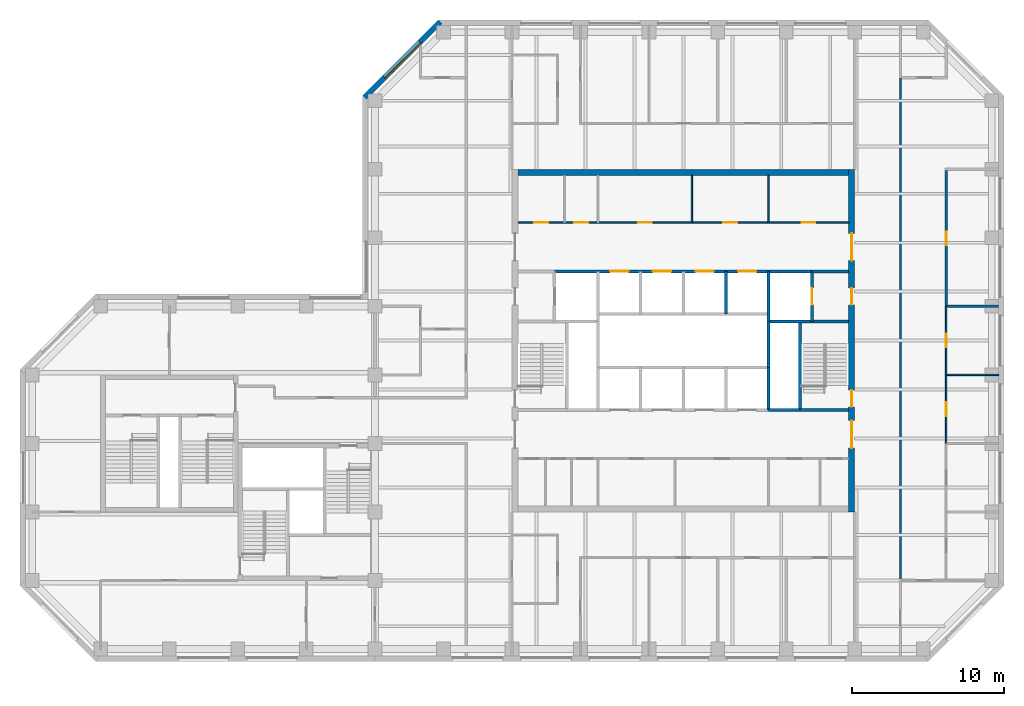
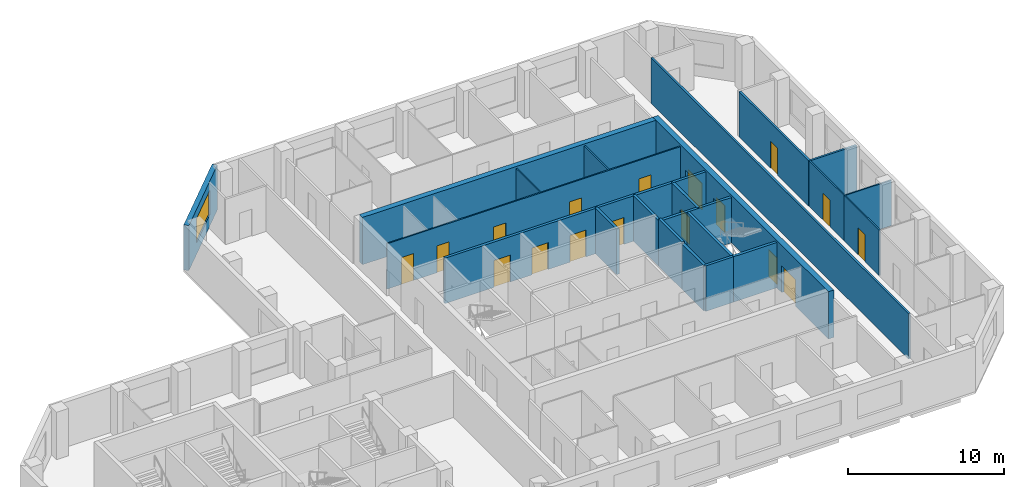
# One storey, part 6 of 9: 23 walls, 17 doors, 1 window, 18 openings.
"""IFC4 building model written with IfcOpenShell, lengths in metres."""

from ifc_helpers import new_model, si_unit, direction, frame, frame_2d, origin, place, context, subcontext, project, spatial, rectangle, extrude, material, layer, layer_set, constituent, constituent_set, type_object, element, fill, save


model = new_model("IFC4")

# Units and contexts
model_context = context("Model", 3, precision=1e-05, world=origin(), true_north=direction((0.0, 1.0)))
body_context = subcontext(model_context, "Body", "Model", "MODEL_VIEW")
ifc_project = project(units=[si_unit("LENGTHUNIT", "METRE"), si_unit("AREAUNIT", "SQUARE_METRE"), si_unit("VOLUMEUNIT", "CUBIC_METRE"), si_unit("PLANEANGLEUNIT", "RADIAN"), si_unit("MASSUNIT", "GRAM", prefix="KILO")], contexts=[model_context])

# Site, building, storey
site_placement = place(None, origin())
site = spatial("IfcSite", under=ifc_project, at=site_placement, CompositionType="ELEMENT")
building_placement = place(site_placement, origin())
building = spatial("IfcBuilding", under=site, at=building_placement, Name="Quoin Convention Tower", CompositionType="ELEMENT")
storey_placement = place(building_placement, frame((0.0, 0.0, 151.39990234375)))
storey = spatial("IfcBuildingStorey", under=building, at=storey_placement, Name="L39", CompositionType="ELEMENT", Elevation=151.39990234375)

# Wall
ifc_material_1 = material(Name="Plasterboard")
ifc_layer_1 = layer(ifc_material_1, 0.012451171875, Name="Finish")
ifc_material_2 = material(Name="Steel stud framing", Category="steel")
ifc_layer_2 = layer(ifc_material_2, 0.125, Name="Structure")
ifc_layer_3 = layer(ifc_material_1, 0.012451171875, Name="Finish")
ifc_layer_set_1 = layer_set([ifc_layer_1, ifc_layer_2, ifc_layer_3], Name="Steel stud framing")
wall_type_1 = type_object("IfcWallType", Name="Acoustic partition 150", PredefinedType="PARTITIONING", material=ifc_layer_set_1)
wall_1_placement = place(storey_placement, frame((73.574951171875, 63.0, 0.0), z_axis=(0.0, 0.0, 1.0), x_axis=(1.0, 0.0, 0.0)))
element("IfcWall", 1, at=wall_1_placement, inside=storey, type_object=wall_type_1, Name="pw-L39-029", PredefinedType="PARTITIONING", context=body_context, shape_type="SweptSolid", body=[
    extrude(rectangle(XDim=3.375, YDim=0.14990234375, at=frame_2d((1.6875, 0.0))), origin(), (0.0, 0.0, 1.0), 3.550048828125),
])

# Wall, opening, door
wall_2_placement = place(storey_placement, frame((73.5, 63.0, 0.0), z_axis=(0.0, 0.0, 1.0), x_axis=(0.0, 1.0, 0.0)))
wall_2 = element("IfcWall", 2, at=wall_2_placement, inside=storey, type_object=wall_type_1, Name="pw-L39-077", PredefinedType="PARTITIONING", context=body_context, shape_type="SweptSolid", body=[
    extrude(rectangle(XDim=8.925048828125, YDim=0.14990234375, at=frame_2d((4.46240234375, 0.0))), origin(), (0.0, 0.0, 1.0), 3.550048828125),
])
opening_1_placement = place(wall_2_placement, frame((4.0, 0.0, 0.0)))
opening_1 = element("IfcOpeningElement", 3, at=opening_1_placement, cuts=wall_2, Name="Opening DOH1-23", PredefinedType="OPENING", context=body_context, shape_type="SweptSolid", body=[
    extrude(rectangle(XDim=0.89990234375, YDim=2.10009765625, at=frame_2d((0.449951171875, 1.050048828125))), frame((0.0, 0.0849609375, 0.0), z_axis=(0.0, -1.0, 0.0), x_axis=(1.0, 0.0, 0.0)), (0.0, 0.0, 1.0), 0.169921875),
])
ifc_material_3 = material(Name="Steel door leaf", Category="steel")
door_type_1 = type_object("IfcDoorType", Name="Office door 900 x 2100", OperationType="SINGLE_SWING_RIGHT", PredefinedType="DOOR", material=ifc_material_3)
door_1_placement = place(opening_1_placement, origin())
door_1 = element("IfcDoor", 4, at=door_1_placement, inside=storey, type_object=door_type_1, Name="dr-L39-35", OperationType="SINGLE_SWING_RIGHT", OverallHeight=2.10009765625, OverallWidth=0.89990234375, PredefinedType="DOOR", context=body_context, shape_type="SweptSolid", body=[
    extrude(rectangle(XDim=0.89990234375, YDim=2.10009765625, at=frame_2d((0.449951171875, 1.050048828125))), frame((0.0, 0.02490234375, 0.0), z_axis=(0.0, -1.0, 0.0), x_axis=(1.0, 0.0, 0.0)), (0.0, 0.0, 1.0), 0.050048828125),
])
fill(opening_1, door_1)

# Wall, opening, window
ifc_material_4 = material(Name="Brick masonry", Category="masonry")
ifc_layer_4 = layer(ifc_material_4, 0.35009765625)
ifc_layer_set_2 = layer_set([ifc_layer_4], Name="Brick masonry")
wall_type_2 = type_object("IfcWallType", Name="Brick facade wall", PredefinedType="STANDARD", material=ifc_layer_set_2)
wall_3_placement = place(storey_placement, frame((40.29248046875, 81.67626953125, 0.0), z_axis=(0.0, 0.0, 1.0), x_axis=(-0.707106781187, -0.707106781187, 0.0)))
wall_3 = element("IfcWall", 5, at=wall_3_placement, inside=storey, type_object=wall_type_2, Name="fw-L39-40500_81000", PredefinedType="STANDARD", context=body_context, shape_type="SweptSolid", body=[
    extrude(rectangle(XDim=7.02685546875, YDim=0.35009765625, at=frame_2d((3.513427734375, 0.0))), origin(), (0.0, 0.0, 1.0), 3.525146484375),
])
opening_2_placement = place(wall_3_placement, frame((1.86328125, 0.0, 0.89990234375)))
opening_2 = element("IfcOpeningElement", 6, at=opening_2_placement, cuts=wall_3, Name="Opening W-02", PredefinedType="OPENING", context=body_context, shape_type="SweptSolid", body=[
    extrude(rectangle(XDim=3.300048828125, YDim=1.89990234375, at=frame_2d((1.64990234375, 0.949951171875))), frame((0.0, 0.18505859375, 0.0), z_axis=(0.0, -1.0, 0.0), x_axis=(1.0, 0.0, 0.0)), (0.0, 0.0, 1.0), 0.3701171875),
])
ifc_material_5 = material(Name="Aluminium", Category="aluminium")
ifc_constituent_1 = constituent(ifc_material_5, Name="Frame")
ifc_material_6 = material(Name="Insulated glass", Category="glass")
ifc_constituent_2 = constituent(ifc_material_6, Name="Glazing")
ifc_constituent_set = constituent_set(constituents=[ifc_constituent_1, ifc_constituent_2], Name="Aluminium")
window_type = type_object("IfcWindowType", Name="Office window", PartitioningType="DOUBLE_PANEL_VERTICAL", PredefinedType="WINDOW", material=ifc_constituent_set)
window_placement = place(opening_2_placement, origin())
window = element("IfcWindow", 7, at=window_placement, inside=storey, type_object=window_type, Name="win-L39-37808_79192", OverallHeight=1.89990234375, OverallWidth=3.300048828125, PartitioningType="SINGLE_PANEL", PredefinedType="WINDOW", context=body_context, shape_type="SweptSolid", body=[
    extrude(rectangle(XDim=3.300048828125, YDim=1.89990234375, at=frame_2d((1.64990234375, 0.949951171875))), frame((0.0, 0.0849609375, 0.0), z_axis=(0.0, -1.0, 0.0), x_axis=(1.0, 0.0, 0.0)), (0.0, 0.0, 1.0), 0.06005859375),
])
fill(opening_2, window)

# Wall, openings, doors
ifc_layer_5 = layer(ifc_material_1, 0.012451171875, Name="Finish")
ifc_layer_6 = layer(ifc_material_2, 0.074951171875, Name="Structure")
ifc_layer_7 = layer(ifc_material_1, 0.012451171875, Name="Finish")
ifc_layer_set_3 = layer_set([ifc_layer_5, ifc_layer_6, ifc_layer_7], Name="Steel stud framing")
wall_type_3 = type_object("IfcWallType", Name="Core partition wall", PredefinedType="PARTITIONING", material=ifc_layer_set_3)
wall_4_placement = place(storey_placement, frame((45.39990234375, 68.5, 0.0), z_axis=(0.0, 0.0, 1.0), x_axis=(1.0, 0.0, 0.0)))
wall_4 = element("IfcWall", 8, at=wall_4_placement, inside=storey, type_object=wall_type_3, Name="cr-C1-L39-h19000_400", PredefinedType="PARTITIONING", context=body_context, shape_type="SweptSolid", body=[
    extrude(rectangle(XDim=21.7001953125, YDim=0.10009765625, at=frame_2d((10.85009765625, 0.0))), origin(), (0.0, 0.0, 1.0), 3.550048828125),
])
opening_3_placement = place(wall_4_placement, frame((18.625, 0.0, 0.0)))
opening_3 = element("IfcOpeningElement", 9, at=opening_3_placement, cuts=wall_4, Name="Opening DCV1-12", PredefinedType="OPENING", context=body_context, shape_type="SweptSolid", body=[
    extrude(rectangle(XDim=0.89990234375, YDim=2.10009765625, at=frame_2d((0.449951171875, 1.050048828125))), frame((0.0, 0.06005859375, 0.0), z_axis=(0.0, -1.0, 0.0), x_axis=(1.0, 0.0, 0.0)), (0.0, 0.0, 1.0), 0.1201171875),
])
opening_4_placement = place(wall_4_placement, frame((1.072509765625, 0.0, 0.0)))
opening_4 = element("IfcOpeningElement", 10, at=opening_4_placement, cuts=wall_4, Name="Opening DCV1-05", PredefinedType="OPENING", context=body_context, shape_type="SweptSolid", body=[
    extrude(rectangle(XDim=0.89990234375, YDim=2.10009765625, at=frame_2d((0.449951171875, 1.050048828125))), frame((0.0, 0.06005859375, 0.0), z_axis=(0.0, -1.0, 0.0), x_axis=(1.0, 0.0, 0.0)), (0.0, 0.0, 1.0), 0.1201171875),
])
opening_5_placement = place(wall_4_placement, frame((3.697509765625, 0.0, 0.0)))
opening_5 = element("IfcOpeningElement", 11, at=opening_5_placement, cuts=wall_4, Name="Opening DCV1-06", PredefinedType="OPENING", context=body_context, shape_type="SweptSolid", body=[
    extrude(rectangle(XDim=0.89990234375, YDim=2.10009765625, at=frame_2d((0.449951171875, 1.050048828125))), frame((0.0, 0.06005859375, 0.0), z_axis=(0.0, -1.0, 0.0), x_axis=(1.0, 0.0, 0.0)), (0.0, 0.0, 1.0), 0.1201171875),
])
opening_6_placement = place(wall_4_placement, frame((13.47998046875, 0.0, 0.0)))
opening_6 = element("IfcOpeningElement", 12, at=opening_6_placement, cuts=wall_4, Name="Opening DCV1-10", PredefinedType="OPENING", context=body_context, shape_type="SweptSolid", body=[
    extrude(rectangle(XDim=0.89990234375, YDim=2.10009765625, at=frame_2d((0.449951171875, 1.050048828125))), frame((0.0, 0.06005859375, 0.0), z_axis=(0.0, -1.0, 0.0), x_axis=(1.0, 0.0, 0.0)), (0.0, 0.0, 1.0), 0.1201171875),
])
opening_7_placement = place(wall_4_placement, frame((7.8798828125, 0.0, 0.0)))
opening_7 = element("IfcOpeningElement", 13, at=opening_7_placement, cuts=wall_4, Name="Opening DCV1-08", PredefinedType="OPENING", context=body_context, shape_type="SweptSolid", body=[
    extrude(rectangle(XDim=0.89990234375, YDim=2.10009765625, at=frame_2d((0.449951171875, 1.050048828125))), frame((0.0, 0.06005859375, 0.0), z_axis=(0.0, -1.0, 0.0), x_axis=(1.0, 0.0, 0.0)), (0.0, 0.0, 1.0), 0.1201171875),
])
door_type_2 = type_object("IfcDoorType", Name="Core room door 900 x 2100", OperationType="SINGLE_SWING_LEFT", PredefinedType="DOOR", material=ifc_material_3)
door_2_placement = place(opening_3_placement, origin())
door_2 = element("IfcDoor", 14, at=door_2_placement, inside=storey, type_object=door_type_2, Name="cd-C1-L39-CNE0-lobB-CD3907", OperationType="SINGLE_SWING_LEFT", OverallHeight=2.10009765625, OverallWidth=0.89990234375, PredefinedType="DOOR", context=body_context, shape_type="SweptSolid", body=[
    extrude(rectangle(XDim=0.89990234375, YDim=2.10009765625, at=frame_2d((0.449951171875, 1.050048828125))), frame((0.0, 0.02490234375, 0.0), z_axis=(0.0, -1.0, 0.0), x_axis=(1.0, 0.0, 0.0)), (0.0, 0.0, 1.0), 0.050048828125),
])
fill(opening_3, door_2)
door_3_placement = place(opening_4_placement, origin())
door_3 = element("IfcDoor", 15, at=door_3_placement, inside=storey, type_object=door_type_2, Name="cd-C1-L39-CNW0-lobB-CD3908", OperationType="SINGLE_SWING_RIGHT", OverallHeight=2.10009765625, OverallWidth=0.89990234375, PredefinedType="DOOR", context=body_context, shape_type="SweptSolid", body=[
    extrude(rectangle(XDim=0.89990234375, YDim=2.10009765625, at=frame_2d((0.449951171875, 1.050048828125))), frame((0.0, 0.02490234375, 0.0), z_axis=(0.0, -1.0, 0.0), x_axis=(1.0, 0.0, 0.0)), (0.0, 0.0, 1.0), 0.050048828125),
])
fill(opening_4, door_3)
door_4_placement = place(opening_5_placement, origin())
door_4 = element("IfcDoor", 16, at=door_4_placement, inside=storey, type_object=door_type_2, Name="cd-C1-L39-CNW1-lobB-CD3909", OperationType="SINGLE_SWING_RIGHT", OverallHeight=2.10009765625, OverallWidth=0.89990234375, PredefinedType="DOOR", context=body_context, shape_type="SweptSolid", body=[
    extrude(rectangle(XDim=0.89990234375, YDim=2.10009765625, at=frame_2d((0.449951171875, 1.050048828125))), frame((0.0, 0.02490234375, 0.0), z_axis=(0.0, -1.0, 0.0), x_axis=(1.0, 0.0, 0.0)), (0.0, 0.0, 1.0), 0.050048828125),
])
fill(opening_5, door_4)
door_5_placement = place(opening_6_placement, origin())
door_5 = element("IfcDoor", 17, at=door_5_placement, inside=storey, type_object=door_type_2, Name="cd-C1-L39-F40-lobB-CD3917", OperationType="SINGLE_SWING_RIGHT", OverallHeight=2.10009765625, OverallWidth=0.89990234375, PredefinedType="DOOR", context=body_context, shape_type="SweptSolid", body=[
    extrude(rectangle(XDim=0.89990234375, YDim=2.10009765625, at=frame_2d((0.449951171875, 1.050048828125))), frame((0.0, 0.02490234375, 0.0), z_axis=(0.0, -1.0, 0.0), x_axis=(1.0, 0.0, 0.0)), (0.0, 0.0, 1.0), 0.050048828125),
])
fill(opening_6, door_5)
door_6_placement = place(opening_7_placement, origin())
door_6 = element("IfcDoor", 18, at=door_6_placement, inside=storey, type_object=door_type_2, Name="cd-C1-L39-F41-lobB-CD3918", OperationType="SINGLE_SWING_RIGHT", OverallHeight=2.10009765625, OverallWidth=0.89990234375, PredefinedType="DOOR", context=body_context, shape_type="SweptSolid", body=[
    extrude(rectangle(XDim=0.89990234375, YDim=2.10009765625, at=frame_2d((0.449951171875, 1.050048828125))), frame((0.0, 0.02490234375, 0.0), z_axis=(0.0, -1.0, 0.0), x_axis=(1.0, 0.0, 0.0)), (0.0, 0.0, 1.0), 0.050048828125),
])
fill(opening_7, door_6)

# Walls
for number, where, z_axis, x_axis, name in (
    (19, (56.81005859375, 68.5, 0.0), (0.0, 0.0, 1.0), (0.0, 1.0, 0.0), "cr-C1-L39-v11810_19000"),
    (20, (61.85009765625, 68.5, 0.0), (0.0, 0.0, 1.0), (0.0, 1.0, 0.0), "cr-C1-L39-v16850_19000"),
):
    element("IfcWall", number, at=place(storey_placement, frame(where, z_axis=z_axis, x_axis=x_axis)), inside=storey, type_object=wall_type_3, Name=name, PredefinedType="PARTITIONING", context=body_context, shape_type="SweptSolid", body=[
        extrude(rectangle(XDim=3.10009765625, YDim=0.10009765625, at=frame_2d((1.550048828125, 0.0))), origin(), (0.0, 0.0, 1.0), 3.550048828125),
    ])
ifc_material_7 = material(Name="Concrete C50", Category="concrete")
ifc_layer_8 = layer(ifc_material_7, 0.199951171875)
ifc_layer_set_4 = layer_set([ifc_layer_8], Name="Concrete C50")
wall_type_4 = type_object("IfcWallType", Name="Core shaft wall", PredefinedType="SOLIDWALL", material=ifc_layer_set_4)
wall_5_placement = place(storey_placement, frame((61.85009765625, 56.199951171875, 0.0), z_axis=(0.0, 0.0, 1.0), x_axis=(1.0, 0.0, 0.0)))
element("IfcWall", 21, at=wall_5_placement, inside=storey, type_object=wall_type_4, Name="cr-C1-L39-h6700_16850", PredefinedType="SOLIDWALL", context=body_context, shape_type="SweptSolid", body=[
    extrude(rectangle(XDim=2.0498046875, YDim=0.199951171875, at=frame_2d((1.02490234375, 0.0))), origin(), (0.0, 0.0, 1.0), 3.550048828125),
])
wall_6_placement = place(storey_placement, frame((63.89990234375, 56.199951171875, 0.0), z_axis=(0.0, 0.0, 1.0), x_axis=(1.0, 0.0, 0.0)))
element("IfcWall", 22, at=wall_6_placement, inside=storey, type_object=wall_type_4, Name="cr-C1-L39-h6700_18900", PredefinedType="SOLIDWALL", context=body_context, shape_type="SweptSolid", body=[
    extrude(rectangle(XDim=3.2001953125, YDim=0.199951171875, at=frame_2d((1.60009765625, 0.0))), origin(), (0.0, 0.0, 1.0), 3.550048828125),
])
wall_7_placement = place(storey_placement, frame((61.85009765625, 62.0, 0.0), z_axis=(0.0, 0.0, 1.0), x_axis=(1.0, 0.0, 0.0)))
element("IfcWall", 23, at=wall_7_placement, inside=storey, type_object=wall_type_4, Name="cr-C1-L39-h12500_16850", PredefinedType="SOLIDWALL", context=body_context, shape_type="SweptSolid", body=[
    extrude(rectangle(XDim=5.25, YDim=0.199951171875, at=frame_2d((2.625, 0.0))), origin(), (0.0, 0.0, 1.0), 3.550048828125),
])
wall_8_placement = place(storey_placement, frame((64.699951171875, 65.300048828125, 0.0), z_axis=(0.0, 0.0, 1.0), x_axis=(1.0, 0.0, 0.0)))
element("IfcWall", 24, at=wall_8_placement, inside=storey, type_object=wall_type_4, Name="cr-C1-L39-h15800_19700", PredefinedType="SOLIDWALL", context=body_context, shape_type="SweptSolid", body=[
    extrude(rectangle(XDim=2.400146484375, YDim=0.199951171875, at=frame_2d((1.2001953125, 0.0))), origin(), (0.0, 0.0, 1.0), 3.550048828125),
])

# Wall, openings, doors
wall_9_placement = place(storey_placement, frame((47.800048828125, 65.300048828125, 0.0), z_axis=(0.0, 0.0, 1.0), x_axis=(1.0, 0.0, 0.0)))
wall_9 = element("IfcWall", 25, at=wall_9_placement, inside=storey, type_object=wall_type_4, Name="cr-C1-L39-h15800_2800", PredefinedType="SOLIDWALL", context=body_context, shape_type="SweptSolid", body=[
    extrude(rectangle(XDim=16.89990234375, YDim=0.199951171875, at=frame_2d((8.449951171875, 0.0))), origin(), (0.0, 0.0, 1.0), 3.550048828125),
])
opening_8_placement = place(wall_9_placement, frame((3.64990234375, 0.0, 0.0)))
opening_8 = element("IfcOpeningElement", 26, at=opening_8_placement, cuts=wall_9, Name="Opening LDH5", PredefinedType="OPENING", context=body_context, shape_type="SweptSolid", body=[
    extrude(rectangle(XDim=1.199951171875, YDim=2.10009765625, at=frame_2d((0.60009765625, 1.050048828125))), frame((0.0, 0.10986328125, 0.0), z_axis=(0.0, -1.0, 0.0), x_axis=(1.0, 0.0, 0.0)), (0.0, 0.0, 1.0), 0.219970703125),
])
opening_9_placement = place(wall_9_placement, frame((6.449951171875, 0.0, 0.0)))
opening_9 = element("IfcOpeningElement", 27, at=opening_9_placement, cuts=wall_9, Name="Opening LDH6", PredefinedType="OPENING", context=body_context, shape_type="SweptSolid", body=[
    extrude(rectangle(XDim=1.199951171875, YDim=2.10009765625, at=frame_2d((0.60009765625, 1.050048828125))), frame((0.0, 0.10986328125, 0.0), z_axis=(0.0, -1.0, 0.0), x_axis=(1.0, 0.0, 0.0)), (0.0, 0.0, 1.0), 0.219970703125),
])
opening_10_placement = place(wall_9_placement, frame((9.25, 0.0, 0.0)))
opening_10 = element("IfcOpeningElement", 28, at=opening_10_placement, cuts=wall_9, Name="Opening LDH7", PredefinedType="OPENING", context=body_context, shape_type="SweptSolid", body=[
    extrude(rectangle(XDim=1.199951171875, YDim=2.10009765625, at=frame_2d((0.60009765625, 1.050048828125))), frame((0.0, 0.10986328125, 0.0), z_axis=(0.0, -1.0, 0.0), x_axis=(1.0, 0.0, 0.0)), (0.0, 0.0, 1.0), 0.219970703125),
])
opening_11_placement = place(wall_9_placement, frame((12.050048828125, 0.0, 0.0)))
opening_11 = element("IfcOpeningElement", 29, at=opening_11_placement, cuts=wall_9, Name="Opening LDH8", PredefinedType="OPENING", context=body_context, shape_type="SweptSolid", body=[
    extrude(rectangle(XDim=1.199951171875, YDim=2.10009765625, at=frame_2d((0.60009765625, 1.050048828125))), frame((0.0, 0.10986328125, 0.0), z_axis=(0.0, -1.0, 0.0), x_axis=(1.0, 0.0, 0.0)), (0.0, 0.0, 1.0), 0.219970703125),
])
door_type_3 = type_object("IfcDoorType", Name="Lift landing door 1200 x 2100", OperationType="DOUBLE_DOOR_SLIDING", PredefinedType="DOOR", material=ifc_material_3)
door_7_placement = place(opening_8_placement, origin())
door_7 = element("IfcDoor", 30, at=door_7_placement, inside=storey, type_object=door_type_3, Name="cd-C1-L39-R30-lobB-LDH5", OperationType="DOUBLE_DOOR_SLIDING", OverallHeight=2.10009765625, OverallWidth=1.199951171875, PredefinedType="DOOR", context=body_context, shape_type="SweptSolid", body=[
    extrude(rectangle(XDim=1.199951171875, YDim=2.10009765625, at=frame_2d((0.60009765625, 1.050048828125))), frame((0.0, 0.02490234375, 0.0), z_axis=(0.0, -1.0, 0.0), x_axis=(1.0, 0.0, 0.0)), (0.0, 0.0, 1.0), 0.050048828125),
])
fill(opening_8, door_7)
door_8_placement = place(opening_9_placement, origin())
door_8 = element("IfcDoor", 31, at=door_8_placement, inside=storey, type_object=door_type_3, Name="cd-C1-L39-R31-lobB-LDH6", OperationType="DOUBLE_DOOR_SLIDING", OverallHeight=2.10009765625, OverallWidth=1.199951171875, PredefinedType="DOOR", context=body_context, shape_type="SweptSolid", body=[
    extrude(rectangle(XDim=1.199951171875, YDim=2.10009765625, at=frame_2d((0.60009765625, 1.050048828125))), frame((0.0, 0.02490234375, 0.0), z_axis=(0.0, -1.0, 0.0), x_axis=(1.0, 0.0, 0.0)), (0.0, 0.0, 1.0), 0.050048828125),
])
fill(opening_9, door_8)
door_9_placement = place(opening_10_placement, origin())
door_9 = element("IfcDoor", 32, at=door_9_placement, inside=storey, type_object=door_type_3, Name="cd-C1-L39-R32-lobB-LDH7", OperationType="DOUBLE_DOOR_SLIDING", OverallHeight=2.10009765625, OverallWidth=1.199951171875, PredefinedType="DOOR", context=body_context, shape_type="SweptSolid", body=[
    extrude(rectangle(XDim=1.199951171875, YDim=2.10009765625, at=frame_2d((0.60009765625, 1.050048828125))), frame((0.0, 0.02490234375, 0.0), z_axis=(0.0, -1.0, 0.0), x_axis=(1.0, 0.0, 0.0)), (0.0, 0.0, 1.0), 0.050048828125),
])
fill(opening_10, door_9)
door_10_placement = place(opening_11_placement, origin())
door_10 = element("IfcDoor", 33, at=door_10_placement, inside=storey, type_object=door_type_3, Name="cd-C1-L39-R33-lobB-LDH8", OperationType="DOUBLE_DOOR_SLIDING", OverallHeight=2.10009765625, OverallWidth=1.199951171875, PredefinedType="DOOR", context=body_context, shape_type="SweptSolid", body=[
    extrude(rectangle(XDim=1.199951171875, YDim=2.10009765625, at=frame_2d((0.60009765625, 1.050048828125))), frame((0.0, 0.02490234375, 0.0), z_axis=(0.0, -1.0, 0.0), x_axis=(1.0, 0.0, 0.0)), (0.0, 0.0, 1.0), 0.050048828125),
])
fill(opening_11, door_10)

# Walls
for number, where, z_axis, x_axis, name in (
    (34, (59.050048828125, 62.5, 0.0), (0.0, 0.0, 1.0), (0.0, 1.0, 0.0), "cr-C1-L39-v14050_13000"),
    (35, (61.85009765625, 56.199951171875, 0.0), (0.0, 0.0, 1.0), (0.0, 1.0, 0.0), "cr-C1-L39-v16850_6700"),
):
    element("IfcWall", number, at=place(storey_placement, frame(where, z_axis=z_axis, x_axis=x_axis)), inside=storey, type_object=wall_type_4, Name=name, PredefinedType="SOLIDWALL", context=body_context, shape_type="SweptSolid", body=[
        extrude(rectangle(XDim=2.800048828125, YDim=0.199951171875, at=frame_2d((1.39990234375, 0.0))), origin(), (0.0, 0.0, 1.0), 3.550048828125),
    ])
wall_10_placement = place(storey_placement, frame((61.85009765625, 62.0, 0.0), z_axis=(0.0, 0.0, 1.0), x_axis=(0.0, 1.0, 0.0)))
element("IfcWall", 36, at=wall_10_placement, inside=storey, type_object=wall_type_4, Name="cr-C1-L39-v16850_12500", PredefinedType="SOLIDWALL", context=body_context, shape_type="SweptSolid", body=[
    extrude(rectangle(XDim=3.300048828125, YDim=0.199951171875, at=frame_2d((1.64990234375, 0.0))), origin(), (0.0, 0.0, 1.0), 3.550048828125),
])
wall_11_placement = place(storey_placement, frame((63.89990234375, 56.199951171875, 0.0), z_axis=(0.0, 0.0, 1.0), x_axis=(0.0, 1.0, 0.0)))
element("IfcWall", 37, at=wall_11_placement, inside=storey, type_object=wall_type_4, Name="cr-C1-L39-v18900_6700", PredefinedType="SOLIDWALL", context=body_context, shape_type="SweptSolid", body=[
    extrude(rectangle(XDim=5.800048828125, YDim=0.199951171875, at=frame_2d((2.89990234375, 0.0))), origin(), (0.0, 0.0, 1.0), 3.550048828125),
])

# Wall, opening, door
wall_12_placement = place(storey_placement, frame((64.699951171875, 62.0, 0.0), z_axis=(0.0, 0.0, 1.0), x_axis=(0.0, 1.0, 0.0)))
wall_12 = element("IfcWall", 38, at=wall_12_placement, inside=storey, type_object=wall_type_4, Name="cr-C1-L39-v19700_12500", PredefinedType="SOLIDWALL", context=body_context, shape_type="SweptSolid", body=[
    extrude(rectangle(XDim=3.300048828125, YDim=0.199951171875, at=frame_2d((1.64990234375, 0.0))), origin(), (0.0, 0.0, 1.0), 3.550048828125),
])
opening_12_placement = place(wall_12_placement, frame((1.10009765625, 0.0, 0.0)))
opening_12 = element("IfcOpeningElement", 39, at=opening_12_placement, cuts=wall_12, Name="Opening LDFL2", PredefinedType="OPENING", context=body_context, shape_type="SweptSolid", body=[
    extrude(rectangle(XDim=1.10009765625, YDim=2.10009765625, at=frame_2d((0.550048828125, 1.050048828125))), frame((0.0, 0.10986328125, 0.0), z_axis=(0.0, -1.0, 0.0), x_axis=(1.0, 0.0, 0.0)), (0.0, 0.0, 1.0), 0.219970703125),
])
door_type_4 = type_object("IfcDoorType", Name="Lift landing door 1100 x 2100", OperationType="DOUBLE_DOOR_SLIDING", PredefinedType="DOOR", material=ifc_material_3)
door_11_placement = place(opening_12_placement, origin())
door_11 = element("IfcDoor", 40, at=door_11_placement, inside=storey, type_object=door_type_4, Name="cd-C1-L39-FLE-FFE-LDFL2", OperationType="DOUBLE_DOOR_SLIDING", OverallHeight=2.10009765625, OverallWidth=1.10009765625, PredefinedType="DOOR", context=body_context, shape_type="SweptSolid", body=[
    extrude(rectangle(XDim=1.10009765625, YDim=2.10009765625, at=frame_2d((0.550048828125, 1.050048828125))), frame((0.0, 0.02490234375, 0.0), z_axis=(0.0, -1.0, 0.0), x_axis=(1.0, 0.0, 0.0)), (0.0, 0.0, 1.0), 0.050048828125),
])
fill(opening_12, door_11)

# Walls
ifc_layer_9 = layer(ifc_material_7, 0.199951171875)
ifc_layer_set_5 = layer_set([ifc_layer_9], Name="Concrete C50")
wall_type_5 = type_object("IfcWallType", Name="Core shaft wall to the floor level over", PredefinedType="SOLIDWALL", material=ifc_layer_set_5)
wall_13_placement = place(storey_placement, frame((61.85009765625, 59.0, 0.0), z_axis=(0.0, 0.0, 1.0), x_axis=(0.0, 1.0, 0.0)))
element("IfcWall", 41, at=wall_13_placement, inside=storey, type_object=wall_type_5, Name="cr-C1-L39-v16850_9500", PredefinedType="SOLIDWALL", context=body_context, shape_type="SweptSolid", body=[
    extrude(rectangle(XDim=3.0, YDim=0.199951171875, at=frame_2d((1.5, 0.0))), origin(), (0.0, 0.0, 1.0), 3.7001953125),
])
ifc_layer_10 = layer(ifc_material_1, 0.012451171875, Name="Finish")
ifc_layer_11 = layer(ifc_material_2, 0.125, Name="Structure")
ifc_layer_12 = layer(ifc_material_1, 0.012451171875, Name="Finish")
ifc_layer_set_6 = layer_set([ifc_layer_10, ifc_layer_11, ifc_layer_12], Name="Steel stud framing")
wall_type_6 = type_object("IfcWallType", Name="Corridor wall 150", PredefinedType="PARTITIONING", material=ifc_layer_set_6)
wall_14_placement = place(storey_placement, frame((70.5, 45.0, 0.0), z_axis=(0.0, 0.0, 1.0), x_axis=(0.0, 1.0, 0.0)))
element("IfcWall", 42, at=wall_14_placement, inside=storey, type_object=wall_type_6, Name="pw-L39-052", PredefinedType="PARTITIONING", context=body_context, shape_type="SweptSolid", body=[
    extrude(rectangle(XDim=33.0, YDim=0.14990234375, at=frame_2d((16.5, 0.0))), origin(), (0.0, 0.0, 1.0), 3.550048828125),
])
ifc_layer_13 = layer(ifc_material_7, 0.39990234375)
ifc_layer_set_7 = layer_set([ifc_layer_13], Name="Concrete C50")
wall_type_7 = type_object("IfcWallType", Name="RC CORE WALL 400 C50", PredefinedType="SHEAR", material=ifc_layer_set_7)
wall_15_placement = place(storey_placement, frame((45.39990234375, 71.800048828125, 0.0), z_axis=(0.0, 0.0, 1.0), x_axis=(1.0, 0.0, 0.0)))
element("IfcWall", 43, at=wall_15_placement, inside=storey, type_object=wall_type_7, Name="cwl-C1-L39-N", PredefinedType="SHEAR", context=body_context, shape_type="SweptSolid", body=[
    extrude(rectangle(XDim=21.7001953125, YDim=0.39990234375, at=frame_2d((10.85009765625, 0.0))), origin(), (0.0, 0.0, 1.0), 3.7001953125),
])

# Wall, openings, doors
wall_16_placement = place(storey_placement, frame((67.300048828125, 49.5, 0.0), z_axis=(0.0, 0.0, 1.0), x_axis=(0.0, 1.0, 0.0)))
wall_16 = element("IfcWall", 44, at=wall_16_placement, inside=storey, type_object=wall_type_7, Name="cwl-C1-L39-E", PredefinedType="SHEAR", context=body_context, shape_type="SweptSolid", body=[
    extrude(rectangle(XDim=22.5, YDim=0.39990234375, at=frame_2d((11.25, 0.0))), origin(), (0.0, 0.0, 1.0), 3.7001953125),
])
opening_13_placement = place(wall_16_placement, frame((4.199951171875, 0.0, 0.0)))
opening_13 = element("IfcOpeningElement", 45, at=opening_13_placement, cuts=wall_16, Name="Opening DCV1-47", PredefinedType="OPENING", context=body_context, shape_type="SweptSolid", body=[
    extrude(rectangle(XDim=1.800048828125, YDim=2.10009765625, at=frame_2d((0.89990234375, 1.050048828125))), frame((0.0, 0.2099609375, 0.0), z_axis=(0.0, -1.0, 0.0), x_axis=(1.0, 0.0, 0.0)), (0.0, 0.0, 1.0), 0.419921875),
])
opening_14_placement = place(wall_16_placement, frame((6.89990234375, 0.0, 0.0)))
opening_14 = element("IfcOpeningElement", 46, at=opening_14_placement, cuts=wall_16, Name="Opening SD2", PredefinedType="OPENING", context=body_context, shape_type="SweptSolid", body=[
    extrude(rectangle(XDim=1.10009765625, YDim=2.10009765625, at=frame_2d((0.550048828125, 1.050048828125))), frame((0.0, 0.2099609375, 0.0), z_axis=(0.0, -1.0, 0.0), x_axis=(1.0, 0.0, 0.0)), (0.0, 0.0, 1.0), 0.419921875),
])
opening_15_placement = place(wall_16_placement, frame((13.60009765625, 0.0, 0.0)))
opening_15 = element("IfcOpeningElement", 47, at=opening_15_placement, cuts=wall_16, Name="Opening DCV1-46", PredefinedType="OPENING", context=body_context, shape_type="SweptSolid", body=[
    extrude(rectangle(XDim=1.10009765625, YDim=2.10009765625, at=frame_2d((0.550048828125, 1.050048828125))), frame((0.0, 0.2099609375, 0.0), z_axis=(0.0, -1.0, 0.0), x_axis=(1.0, 0.0, 0.0)), (0.0, 0.0, 1.0), 0.419921875),
])
opening_16_placement = place(wall_16_placement, frame((16.5, 0.0, 0.0)))
opening_16 = element("IfcOpeningElement", 48, at=opening_16_placement, cuts=wall_16, Name="Opening DCV1-47", PredefinedType="OPENING", context=body_context, shape_type="SweptSolid", body=[
    extrude(rectangle(XDim=1.800048828125, YDim=2.10009765625, at=frame_2d((0.89990234375, 1.050048828125))), frame((0.0, 0.2099609375, 0.0), z_axis=(0.0, -1.0, 0.0), x_axis=(1.0, 0.0, 0.0)), (0.0, 0.0, 1.0), 0.419921875),
])
door_type_5 = type_object("IfcDoorType", Name="Fire-fighting lobby door 1100 x 2100", OperationType="SINGLE_SWING_LEFT", PredefinedType="DOOR", material=ifc_material_3)
door_12_placement = place(opening_15_placement, origin())
door_12 = element("IfcDoor", 49, at=door_12_placement, inside=storey, type_object=door_type_5, Name="cd-C1-L39-FFE-E", OperationType="SINGLE_SWING_RIGHT", OverallHeight=2.10009765625, OverallWidth=1.10009765625, PredefinedType="DOOR", context=body_context, shape_type="SweptSolid", body=[
    extrude(rectangle(XDim=1.10009765625, YDim=2.10009765625, at=frame_2d((0.550048828125, 1.050048828125))), frame((0.0, 0.02490234375, 0.0), z_axis=(0.0, -1.0, 0.0), x_axis=(1.0, 0.0, 0.0)), (0.0, 0.0, 1.0), 0.050048828125),
])
fill(opening_15, door_12)
door_type_6 = type_object("IfcDoorType", Name="Lift lobby door 1800 x 2100", OperationType="SINGLE_SWING_LEFT", PredefinedType="DOOR", material=ifc_material_3)
door_13_placement = place(opening_13_placement, origin())
door_13 = element("IfcDoor", 50, at=door_13_placement, inside=storey, type_object=door_type_6, Name="cd-C1-L39-lobA-E", OperationType="SINGLE_SWING_RIGHT", OverallHeight=2.10009765625, OverallWidth=1.800048828125, PredefinedType="DOOR", context=body_context, shape_type="SweptSolid", body=[
    extrude(rectangle(XDim=1.800048828125, YDim=2.10009765625, at=frame_2d((0.89990234375, 1.050048828125))), frame((0.0, 0.02490234375, 0.0), z_axis=(0.0, -1.0, 0.0), x_axis=(1.0, 0.0, 0.0)), (0.0, 0.0, 1.0), 0.050048828125),
])
fill(opening_13, door_13)
door_14_placement = place(opening_16_placement, origin())
door_14 = element("IfcDoor", 51, at=door_14_placement, inside=storey, type_object=door_type_6, Name="cd-C1-L39-lobB-E", OperationType="SINGLE_SWING_RIGHT", OverallHeight=2.10009765625, OverallWidth=1.800048828125, PredefinedType="DOOR", context=body_context, shape_type="SweptSolid", body=[
    extrude(rectangle(XDim=1.800048828125, YDim=2.10009765625, at=frame_2d((0.89990234375, 1.050048828125))), frame((0.0, 0.02490234375, 0.0), z_axis=(0.0, -1.0, 0.0), x_axis=(1.0, 0.0, 0.0)), (0.0, 0.0, 1.0), 0.050048828125),
])
fill(opening_16, door_14)
door_type_7 = type_object("IfcDoorType", Name="Stair door 1100 x 2100", OperationType="SINGLE_SWING_RIGHT", PredefinedType="DOOR", material=ifc_material_3)
door_15_placement = place(opening_14_placement, origin())
door_15 = element("IfcDoor", 52, at=door_15_placement, inside=storey, type_object=door_type_7, Name="cd-C1-L39-STE-E", OperationType="SINGLE_SWING_LEFT", OverallHeight=2.10009765625, OverallWidth=1.10009765625, PredefinedType="DOOR", context=body_context, shape_type="SweptSolid", body=[
    extrude(rectangle(XDim=1.10009765625, YDim=2.10009765625, at=frame_2d((0.550048828125, 1.050048828125))), frame((0.0, 0.02490234375, 0.0), z_axis=(0.0, -1.0, 0.0), x_axis=(1.0, 0.0, 0.0)), (0.0, 0.0, 1.0), 0.050048828125),
])
fill(opening_14, door_15)

# Wall
ifc_layer_14 = layer(ifc_material_1, 0.012451171875, Name="Finish")
ifc_layer_15 = layer(ifc_material_2, 0.074951171875, Name="Structure")
ifc_layer_16 = layer(ifc_material_1, 0.012451171875, Name="Finish")
ifc_layer_set_8 = layer_set([ifc_layer_14, ifc_layer_15, ifc_layer_16], Name="Steel stud framing")
wall_type_8 = type_object("IfcWallType", Name="Stud partition 100", PredefinedType="PARTITIONING", material=ifc_layer_set_8)
wall_17_placement = place(storey_placement, frame((73.550048828125, 58.5, 0.0), z_axis=(0.0, 0.0, 1.0), x_axis=(1.0, 0.0, 0.0)))
element("IfcWall", 53, at=wall_17_placement, inside=storey, type_object=wall_type_8, Name="pw-L39-023", PredefinedType="PARTITIONING", context=body_context, shape_type="SweptSolid", body=[
    extrude(rectangle(XDim=3.39990234375, YDim=0.10009765625, at=frame_2d((1.699951171875, 0.0))), origin(), (0.0, 0.0, 1.0), 3.550048828125),
])

# Wall, opening, door
wall_18_placement = place(storey_placement, frame((73.5, 54.0, 0.0), z_axis=(0.0, 0.0, 1.0), x_axis=(0.0, 1.0, 0.0)))
wall_18 = element("IfcWall", 54, at=wall_18_placement, inside=storey, type_object=wall_type_8, Name="pw-L39-063", PredefinedType="PARTITIONING", context=body_context, shape_type="SweptSolid", body=[
    extrude(rectangle(XDim=4.5, YDim=0.10009765625, at=frame_2d((2.25, 0.0))), origin(), (0.0, 0.0, 1.0), 3.550048828125),
])
opening_17_placement = place(wall_18_placement, frame((1.800048828125, 0.0, 0.0)))
opening_17 = element("IfcOpeningElement", 55, at=opening_17_placement, cuts=wall_18, Name="Opening DOH1-19", PredefinedType="OPENING", context=body_context, shape_type="SweptSolid", body=[
    extrude(rectangle(XDim=0.89990234375, YDim=2.10009765625, at=frame_2d((0.449951171875, 1.050048828125))), frame((0.0, 0.06005859375, 0.0), z_axis=(0.0, -1.0, 0.0), x_axis=(1.0, 0.0, 0.0)), (0.0, 0.0, 1.0), 0.1201171875),
])
door_16_placement = place(opening_17_placement, origin())
door_16 = element("IfcDoor", 56, at=door_16_placement, inside=storey, type_object=door_type_1, Name="dr-L39-32", OperationType="SINGLE_SWING_RIGHT", OverallHeight=2.10009765625, OverallWidth=0.89990234375, PredefinedType="DOOR", context=body_context, shape_type="SweptSolid", body=[
    extrude(rectangle(XDim=0.89990234375, YDim=2.10009765625, at=frame_2d((0.449951171875, 1.050048828125))), frame((0.0, 0.02490234375, 0.0), z_axis=(0.0, -1.0, 0.0), x_axis=(1.0, 0.0, 0.0)), (0.0, 0.0, 1.0), 0.050048828125),
])
fill(opening_17, door_16)

wall_19_placement = place(storey_placement, frame((73.5, 58.5, 0.0), z_axis=(0.0, 0.0, 1.0), x_axis=(0.0, 1.0, 0.0)))
wall_19 = element("IfcWall", 57, at=wall_19_placement, inside=storey, type_object=wall_type_8, Name="pw-L39-068", PredefinedType="PARTITIONING", context=body_context, shape_type="SweptSolid", body=[
    extrude(rectangle(XDim=4.5, YDim=0.10009765625, at=frame_2d((2.25, 0.0))), origin(), (0.0, 0.0, 1.0), 3.550048828125),
])
opening_18_placement = place(wall_19_placement, frame((1.800048828125, 0.0, 0.0)))
opening_18 = element("IfcOpeningElement", 58, at=opening_18_placement, cuts=wall_19, Name="Opening DOH1-21", PredefinedType="OPENING", context=body_context, shape_type="SweptSolid", body=[
    extrude(rectangle(XDim=0.89990234375, YDim=2.10009765625, at=frame_2d((0.449951171875, 1.050048828125))), frame((0.0, 0.06005859375, 0.0), z_axis=(0.0, -1.0, 0.0), x_axis=(1.0, 0.0, 0.0)), (0.0, 0.0, 1.0), 0.1201171875),
])
door_17_placement = place(opening_18_placement, origin())
door_17 = element("IfcDoor", 59, at=door_17_placement, inside=storey, type_object=door_type_1, Name="dr-L39-33", OperationType="SINGLE_SWING_RIGHT", OverallHeight=2.10009765625, OverallWidth=0.89990234375, PredefinedType="DOOR", context=body_context, shape_type="SweptSolid", body=[
    extrude(rectangle(XDim=0.89990234375, YDim=2.10009765625, at=frame_2d((0.449951171875, 1.050048828125))), frame((0.0, 0.02490234375, 0.0), z_axis=(0.0, -1.0, 0.0), x_axis=(1.0, 0.0, 0.0)), (0.0, 0.0, 1.0), 0.050048828125),
])
fill(opening_18, door_17)

save(model, "model.ifc")
